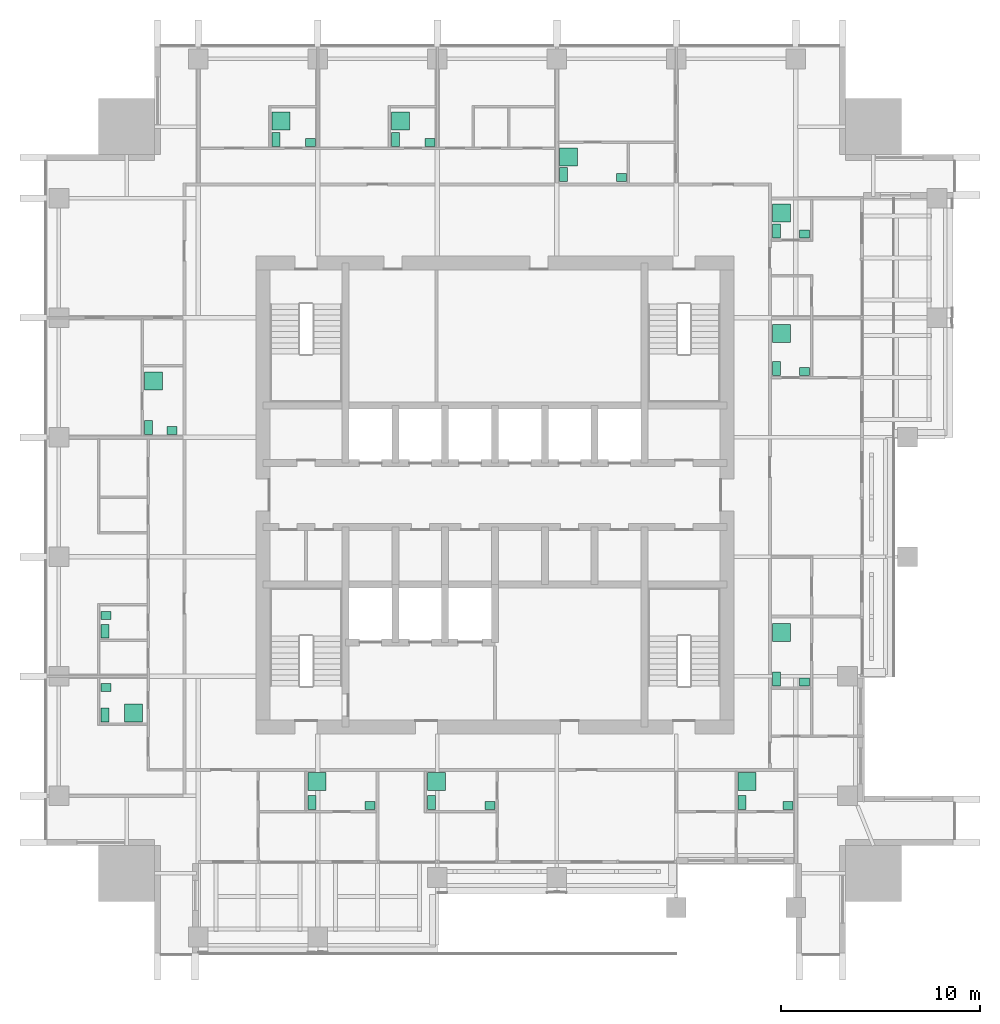
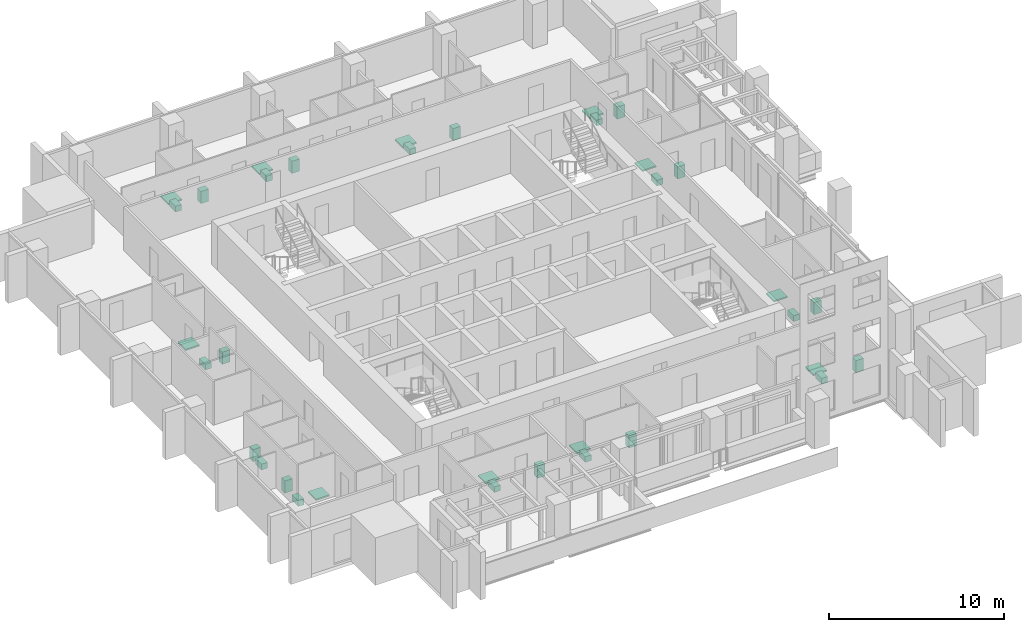
# One storey, part 16 of 16: 35 sanitary terminals.
"""IFC4 building model written with IfcOpenShell, lengths in metres."""

from ifc_helpers import new_model, si_unit, direction, frame, origin, origin_2d, place, context, subcontext, project, spatial, rectangle, extrude, element, save


model = new_model("IFC4")

# Units and contexts
model_context = context("Model", 3, precision=1e-05, world=origin(), true_north=direction((0.0, 1.0)))
body_context = subcontext(model_context, "Body", "Model", "MODEL_VIEW")
ifc_project = project(units=[si_unit("LENGTHUNIT", "METRE"), si_unit("AREAUNIT", "SQUARE_METRE"), si_unit("VOLUMEUNIT", "CUBIC_METRE"), si_unit("PLANEANGLEUNIT", "RADIAN"), si_unit("MASSUNIT", "GRAM", prefix="KILO")], contexts=[model_context])

# Site, building, storey
site_placement = place(None, origin())
site = spatial("IfcSite", under=ifc_project, at=site_placement, CompositionType="ELEMENT")
building_placement = place(site_placement, origin())
building = spatial("IfcBuilding", under=site, at=building_placement, Name="Amberfall Residences", CompositionType="ELEMENT")
storey_placement = place(building_placement, frame((0.0, 0.0, 164.800048828125)))
storey = spatial("IfcBuildingStorey", under=building, at=storey_placement, Name="L44", CompositionType="ELEMENT", Elevation=164.800048828125)

# Sanitary terminals
sanitary_terminal_1_placement = place(storey_placement, frame((65.31005859375, 30.06005859375, 0.0), z_axis=(0.0, 0.0, 1.0), x_axis=(1.0, 0.0, 0.0)))
element("IfcSanitaryTerminal", 1, at=sanitary_terminal_1_placement, inside=storey, Name="Water closet 4401", PredefinedType="TOILETPAN", context=body_context, shape_type="SweptSolid", body=[
    extrude(rectangle(XDim=0.39990234375, YDim=0.699951171875, at=origin_2d()), origin(), (0.0, 0.0, 1.0), 0.39990234375),
])
sanitary_terminal_2_placement = place(storey_placement, frame((68.215087890625, 29.909912109375, 0.0), z_axis=(0.0, 0.0, 1.0), x_axis=(1.0, 0.0, 0.0)))
element("IfcSanitaryTerminal", 2, at=sanitary_terminal_2_placement, inside=storey, Name="Basin 4401", PredefinedType="WASHHANDBASIN", context=body_context, shape_type="SweptSolid", body=[
    extrude(rectangle(XDim=0.5, YDim=0.39990234375, at=origin_2d()), origin(), (0.0, 0.0, 1.0), 0.85009765625),
])
sanitary_terminal_3_placement = place(storey_placement, frame((65.56005859375, 31.114990234375, 0.0), z_axis=(0.0, 0.0, 1.0), x_axis=(1.0, 0.0, 0.0)))
element("IfcSanitaryTerminal", 3, at=sanitary_terminal_3_placement, inside=storey, Name="Shower tray 4401", PredefinedType="SHOWER", context=body_context, shape_type="SweptSolid", body=[
    extrude(rectangle(XDim=0.89990234375, YDim=0.89990234375, at=origin_2d()), origin(), (0.0, 0.0, 1.0), 0.10009765625),
])
sanitary_terminal_4_placement = place(storey_placement, frame((71.31005859375, 30.06005859375, 0.0), z_axis=(0.0, 0.0, 1.0), x_axis=(1.0, 0.0, 0.0)))
element("IfcSanitaryTerminal", 4, at=sanitary_terminal_4_placement, inside=storey, Name="Water closet 4402", PredefinedType="TOILETPAN", context=body_context, shape_type="SweptSolid", body=[
    extrude(rectangle(XDim=0.39990234375, YDim=0.699951171875, at=origin_2d()), origin(), (0.0, 0.0, 1.0), 0.39990234375),
])
sanitary_terminal_5_placement = place(storey_placement, frame((74.239990234375, 29.909912109375, 0.0), z_axis=(0.0, 0.0, 1.0), x_axis=(1.0, 0.0, 0.0)))
element("IfcSanitaryTerminal", 5, at=sanitary_terminal_5_placement, inside=storey, Name="Basin 4402", PredefinedType="WASHHANDBASIN", context=body_context, shape_type="SweptSolid", body=[
    extrude(rectangle(XDim=0.5, YDim=0.39990234375, at=origin_2d()), origin(), (0.0, 0.0, 1.0), 0.85009765625),
])
sanitary_terminal_6_placement = place(storey_placement, frame((71.56005859375, 31.114990234375, 0.0), z_axis=(0.0, 0.0, 1.0), x_axis=(1.0, 0.0, 0.0)))
element("IfcSanitaryTerminal", 6, at=sanitary_terminal_6_placement, inside=storey, Name="Shower tray 4402", PredefinedType="SHOWER", context=body_context, shape_type="SweptSolid", body=[
    extrude(rectangle(XDim=0.89990234375, YDim=0.89990234375, at=origin_2d()), origin(), (0.0, 0.0, 1.0), 0.10009765625),
])
sanitary_terminal_7_placement = place(storey_placement, frame((86.909912109375, 30.06005859375, 0.0), z_axis=(0.0, 0.0, 1.0), x_axis=(1.0, 0.0, 0.0)))
element("IfcSanitaryTerminal", 7, at=sanitary_terminal_7_placement, inside=storey, Name="Water closet 4402", PredefinedType="TOILETPAN", context=body_context, shape_type="SweptSolid", body=[
    extrude(rectangle(XDim=0.39990234375, YDim=0.699951171875, at=origin_2d()), origin(), (0.0, 0.0, 1.0), 0.39990234375),
])
sanitary_terminal_8_placement = place(storey_placement, frame((89.215087890625, 29.909912109375, 0.0), z_axis=(0.0, 0.0, 1.0), x_axis=(1.0, 0.0, 0.0)))
element("IfcSanitaryTerminal", 8, at=sanitary_terminal_8_placement, inside=storey, Name="Basin 4402", PredefinedType="WASHHANDBASIN", context=body_context, shape_type="SweptSolid", body=[
    extrude(rectangle(XDim=0.5, YDim=0.39990234375, at=origin_2d()), origin(), (0.0, 0.0, 1.0), 0.85009765625),
])
sanitary_terminal_9_placement = place(storey_placement, frame((87.159912109375, 31.114990234375, 0.0), z_axis=(0.0, 0.0, 1.0), x_axis=(1.0, 0.0, 0.0)))
element("IfcSanitaryTerminal", 9, at=sanitary_terminal_9_placement, inside=storey, Name="Shower tray 4402", PredefinedType="SHOWER", context=body_context, shape_type="SweptSolid", body=[
    extrude(rectangle(XDim=0.89990234375, YDim=0.89990234375, at=origin_2d()), origin(), (0.0, 0.0, 1.0), 0.10009765625),
])
sanitary_terminal_10_placement = place(storey_placement, frame((88.635009765625, 36.260009765625, 0.0), z_axis=(0.0, 0.0, 1.0), x_axis=(1.0, 0.0, 0.0)))
element("IfcSanitaryTerminal", 10, at=sanitary_terminal_10_placement, inside=storey, Name="Water closet 4403", PredefinedType="TOILETPAN", context=body_context, shape_type="SweptSolid", body=[
    extrude(rectangle(XDim=0.39990234375, YDim=0.699951171875, at=origin_2d()), origin(), (0.0, 0.0, 1.0), 0.39990234375),
])
sanitary_terminal_11_placement = place(storey_placement, frame((90.0400390625, 36.110107421875, 0.0), z_axis=(0.0, 0.0, 1.0), x_axis=(1.0, 0.0, 0.0)))
element("IfcSanitaryTerminal", 11, at=sanitary_terminal_11_placement, inside=storey, Name="Basin 4403", PredefinedType="WASHHANDBASIN", context=body_context, shape_type="SweptSolid", body=[
    extrude(rectangle(XDim=0.5, YDim=0.39990234375, at=origin_2d()), origin(), (0.0, 0.0, 1.0), 0.85009765625),
])
sanitary_terminal_12_placement = place(storey_placement, frame((88.885009765625, 38.591796875, 0.0), z_axis=(0.0, 0.0, 1.0), x_axis=(1.0, 0.0, 0.0)))
element("IfcSanitaryTerminal", 12, at=sanitary_terminal_12_placement, inside=storey, Name="Shower tray 4403", PredefinedType="SHOWER", context=body_context, shape_type="SweptSolid", body=[
    extrude(rectangle(XDim=0.89990234375, YDim=0.89990234375, at=origin_2d()), origin(), (0.0, 0.0, 1.0), 0.10009765625),
])
sanitary_terminal_13_placement = place(storey_placement, frame((88.635009765625, 51.860107421875, 0.0), z_axis=(0.0, 0.0, 1.0), x_axis=(1.0, 0.0, 0.0)))
element("IfcSanitaryTerminal", 13, at=sanitary_terminal_13_placement, inside=storey, Name="Water closet 4404", PredefinedType="TOILETPAN", context=body_context, shape_type="SweptSolid", body=[
    extrude(rectangle(XDim=0.39990234375, YDim=0.699951171875, at=origin_2d()), origin(), (0.0, 0.0, 1.0), 0.39990234375),
])
sanitary_terminal_14_placement = place(storey_placement, frame((90.0400390625, 51.7099609375, 0.0), z_axis=(0.0, 0.0, 1.0), x_axis=(1.0, 0.0, 0.0)))
element("IfcSanitaryTerminal", 14, at=sanitary_terminal_14_placement, inside=storey, Name="Basin 4404", PredefinedType="WASHHANDBASIN", context=body_context, shape_type="SweptSolid", body=[
    extrude(rectangle(XDim=0.5, YDim=0.39990234375, at=origin_2d()), origin(), (0.0, 0.0, 1.0), 0.85009765625),
])
sanitary_terminal_15_placement = place(storey_placement, frame((88.885009765625, 53.60888671875, 0.0), z_axis=(0.0, 0.0, 1.0), x_axis=(1.0, 0.0, 0.0)))
element("IfcSanitaryTerminal", 15, at=sanitary_terminal_15_placement, inside=storey, Name="Shower tray 4404", PredefinedType="SHOWER", context=body_context, shape_type="SweptSolid", body=[
    extrude(rectangle(XDim=0.89990234375, YDim=0.89990234375, at=origin_2d()), origin(), (0.0, 0.0, 1.0), 0.10009765625),
])
sanitary_terminal_16_placement = place(storey_placement, frame((88.635009765625, 58.760009765625, 0.0), z_axis=(0.0, 0.0, 1.0), x_axis=(1.0, 0.0, 0.0)))
element("IfcSanitaryTerminal", 16, at=sanitary_terminal_16_placement, inside=storey, Name="Water closet 4405", PredefinedType="TOILETPAN", context=body_context, shape_type="SweptSolid", body=[
    extrude(rectangle(XDim=0.39990234375, YDim=0.699951171875, at=origin_2d()), origin(), (0.0, 0.0, 1.0), 0.39990234375),
])
sanitary_terminal_17_placement = place(storey_placement, frame((90.0400390625, 58.610107421875, 0.0), z_axis=(0.0, 0.0, 1.0), x_axis=(1.0, 0.0, 0.0)))
element("IfcSanitaryTerminal", 17, at=sanitary_terminal_17_placement, inside=storey, Name="Basin 4405", PredefinedType="WASHHANDBASIN", context=body_context, shape_type="SweptSolid", body=[
    extrude(rectangle(XDim=0.5, YDim=0.39990234375, at=origin_2d()), origin(), (0.0, 0.0, 1.0), 0.85009765625),
])
sanitary_terminal_18_placement = place(storey_placement, frame((88.885009765625, 59.65576171875, 0.0), z_axis=(0.0, 0.0, 1.0), x_axis=(1.0, 0.0, 0.0)))
element("IfcSanitaryTerminal", 18, at=sanitary_terminal_18_placement, inside=storey, Name="Shower tray 4405", PredefinedType="SHOWER", context=body_context, shape_type="SweptSolid", body=[
    extrude(rectangle(XDim=0.89990234375, YDim=0.89990234375, at=origin_2d()), origin(), (0.0, 0.0, 1.0), 0.10009765625),
])
sanitary_terminal_19_placement = place(storey_placement, frame((63.510009765625, 63.360107421875, 0.0), z_axis=(0.0, 0.0, 1.0), x_axis=(1.0, 0.0, 0.0)))
element("IfcSanitaryTerminal", 19, at=sanitary_terminal_19_placement, inside=storey, Name="Water closet 4406", PredefinedType="TOILETPAN", context=body_context, shape_type="SweptSolid", body=[
    extrude(rectangle(XDim=0.39990234375, YDim=0.699951171875, at=origin_2d()), origin(), (0.0, 0.0, 1.0), 0.39990234375),
])
sanitary_terminal_20_placement = place(storey_placement, frame((65.239990234375, 63.2099609375, 0.0), z_axis=(0.0, 0.0, 1.0), x_axis=(1.0, 0.0, 0.0)))
element("IfcSanitaryTerminal", 20, at=sanitary_terminal_20_placement, inside=storey, Name="Basin 4406", PredefinedType="WASHHANDBASIN", context=body_context, shape_type="SweptSolid", body=[
    extrude(rectangle(XDim=0.5, YDim=0.39990234375, at=origin_2d()), origin(), (0.0, 0.0, 1.0), 0.85009765625),
])
sanitary_terminal_21_placement = place(storey_placement, frame((63.760009765625, 64.276611328125, 0.0), z_axis=(0.0, 0.0, 1.0), x_axis=(1.0, 0.0, 0.0)))
element("IfcSanitaryTerminal", 21, at=sanitary_terminal_21_placement, inside=storey, Name="Shower tray 4406", PredefinedType="SHOWER", context=body_context, shape_type="SweptSolid", body=[
    extrude(rectangle(XDim=0.89990234375, YDim=0.89990234375, at=origin_2d()), origin(), (0.0, 0.0, 1.0), 0.10009765625),
])
sanitary_terminal_22_placement = place(storey_placement, frame((69.510009765625, 63.360107421875, 0.0), z_axis=(0.0, 0.0, 1.0), x_axis=(1.0, 0.0, 0.0)))
element("IfcSanitaryTerminal", 22, at=sanitary_terminal_22_placement, inside=storey, Name="Water closet 4406", PredefinedType="TOILETPAN", context=body_context, shape_type="SweptSolid", body=[
    extrude(rectangle(XDim=0.39990234375, YDim=0.699951171875, at=origin_2d()), origin(), (0.0, 0.0, 1.0), 0.39990234375),
])
sanitary_terminal_23_placement = place(storey_placement, frame((71.239990234375, 63.2099609375, 0.0), z_axis=(0.0, 0.0, 1.0), x_axis=(1.0, 0.0, 0.0)))
element("IfcSanitaryTerminal", 23, at=sanitary_terminal_23_placement, inside=storey, Name="Basin 4406", PredefinedType="WASHHANDBASIN", context=body_context, shape_type="SweptSolid", body=[
    extrude(rectangle(XDim=0.5, YDim=0.39990234375, at=origin_2d()), origin(), (0.0, 0.0, 1.0), 0.85009765625),
])
sanitary_terminal_24_placement = place(storey_placement, frame((69.760009765625, 64.276611328125, 0.0), z_axis=(0.0, 0.0, 1.0), x_axis=(1.0, 0.0, 0.0)))
element("IfcSanitaryTerminal", 24, at=sanitary_terminal_24_placement, inside=storey, Name="Shower tray 4406", PredefinedType="SHOWER", context=body_context, shape_type="SweptSolid", body=[
    extrude(rectangle(XDim=0.89990234375, YDim=0.89990234375, at=origin_2d()), origin(), (0.0, 0.0, 1.0), 0.10009765625),
])
sanitary_terminal_25_placement = place(storey_placement, frame((77.93505859375, 61.5849609375, 0.0), z_axis=(0.0, 0.0, 1.0), x_axis=(1.0, 0.0, 0.0)))
element("IfcSanitaryTerminal", 25, at=sanitary_terminal_25_placement, inside=storey, Name="Water closet 4407", PredefinedType="TOILETPAN", context=body_context, shape_type="SweptSolid", body=[
    extrude(rectangle(XDim=0.39990234375, YDim=0.699951171875, at=origin_2d()), origin(), (0.0, 0.0, 1.0), 0.39990234375),
])
sanitary_terminal_26_placement = place(storey_placement, frame((80.840087890625, 61.43505859375, 0.0), z_axis=(0.0, 0.0, 1.0), x_axis=(1.0, 0.0, 0.0)))
element("IfcSanitaryTerminal", 26, at=sanitary_terminal_26_placement, inside=storey, Name="Basin 4407", PredefinedType="WASHHANDBASIN", context=body_context, shape_type="SweptSolid", body=[
    extrude(rectangle(XDim=0.5, YDim=0.39990234375, at=origin_2d()), origin(), (0.0, 0.0, 1.0), 0.85009765625),
])
sanitary_terminal_27_placement = place(storey_placement, frame((78.18505859375, 62.480712890625, 0.0), z_axis=(0.0, 0.0, 1.0), x_axis=(1.0, 0.0, 0.0)))
element("IfcSanitaryTerminal", 27, at=sanitary_terminal_27_placement, inside=storey, Name="Shower tray 4407", PredefinedType="SHOWER", context=body_context, shape_type="SweptSolid", body=[
    extrude(rectangle(XDim=0.89990234375, YDim=0.89990234375, at=origin_2d()), origin(), (0.0, 0.0, 1.0), 0.10009765625),
])
sanitary_terminal_28_placement = place(storey_placement, frame((54.909912109375, 38.659912109375, 0.0), z_axis=(0.0, 0.0, 1.0), x_axis=(1.0, 0.0, 0.0)))
element("IfcSanitaryTerminal", 28, at=sanitary_terminal_28_placement, inside=storey, Name="Water closet 4408 1", PredefinedType="TOILETPAN", context=body_context, shape_type="SweptSolid", body=[
    extrude(rectangle(XDim=0.39990234375, YDim=0.699951171875, at=origin_2d()), origin(), (0.0, 0.0, 1.0), 0.39990234375),
])
sanitary_terminal_29_placement = place(storey_placement, frame((54.9599609375, 39.4541015625, 0.0), z_axis=(0.0, 0.0, 1.0), x_axis=(1.0, 0.0, 0.0)))
element("IfcSanitaryTerminal", 29, at=sanitary_terminal_29_placement, inside=storey, Name="Basin 4408 1", PredefinedType="WASHHANDBASIN", context=body_context, shape_type="SweptSolid", body=[
    extrude(rectangle(XDim=0.5, YDim=0.39990234375, at=origin_2d()), origin(), (0.0, 0.0, 1.0), 0.85009765625),
])
sanitary_terminal_30_placement = place(storey_placement, frame((54.909912109375, 34.4599609375, 0.0), z_axis=(0.0, 0.0, 1.0), x_axis=(1.0, 0.0, 0.0)))
element("IfcSanitaryTerminal", 30, at=sanitary_terminal_30_placement, inside=storey, Name="Water closet 4408", PredefinedType="TOILETPAN", context=body_context, shape_type="SweptSolid", body=[
    extrude(rectangle(XDim=0.39990234375, YDim=0.699951171875, at=origin_2d()), origin(), (0.0, 0.0, 1.0), 0.39990234375),
])
sanitary_terminal_31_placement = place(storey_placement, frame((54.9599609375, 35.835693359375, 0.0), z_axis=(0.0, 0.0, 1.0), x_axis=(1.0, 0.0, 0.0)))
element("IfcSanitaryTerminal", 31, at=sanitary_terminal_31_placement, inside=storey, Name="Basin 4408", PredefinedType="WASHHANDBASIN", context=body_context, shape_type="SweptSolid", body=[
    extrude(rectangle(XDim=0.5, YDim=0.39990234375, at=origin_2d()), origin(), (0.0, 0.0, 1.0), 0.85009765625),
])
sanitary_terminal_32_placement = place(storey_placement, frame((56.3427734375, 34.56005859375, 0.0), z_axis=(0.0, 0.0, 1.0), x_axis=(1.0, 0.0, 0.0)))
element("IfcSanitaryTerminal", 32, at=sanitary_terminal_32_placement, inside=storey, Name="Shower tray 4408", PredefinedType="SHOWER", context=body_context, shape_type="SweptSolid", body=[
    extrude(rectangle(XDim=0.89990234375, YDim=0.89990234375, at=origin_2d()), origin(), (0.0, 0.0, 1.0), 0.10009765625),
])
sanitary_terminal_33_placement = place(storey_placement, frame((57.110107421875, 48.885009765625, 0.0), z_axis=(0.0, 0.0, 1.0), x_axis=(1.0, 0.0, 0.0)))
element("IfcSanitaryTerminal", 33, at=sanitary_terminal_33_placement, inside=storey, Name="Water closet 4409", PredefinedType="TOILETPAN", context=body_context, shape_type="SweptSolid", body=[
    extrude(rectangle(XDim=0.39990234375, YDim=0.699951171875, at=origin_2d()), origin(), (0.0, 0.0, 1.0), 0.39990234375),
])
sanitary_terminal_34_placement = place(storey_placement, frame((58.2890625, 48.735107421875, 0.0), z_axis=(0.0, 0.0, 1.0), x_axis=(1.0, 0.0, 0.0)))
element("IfcSanitaryTerminal", 34, at=sanitary_terminal_34_placement, inside=storey, Name="Basin 4409", PredefinedType="WASHHANDBASIN", context=body_context, shape_type="SweptSolid", body=[
    extrude(rectangle(XDim=0.5, YDim=0.39990234375, at=origin_2d()), origin(), (0.0, 0.0, 1.0), 0.85009765625),
])
sanitary_terminal_35_placement = place(storey_placement, frame((57.360107421875, 51.216796875, 0.0), z_axis=(0.0, 0.0, 1.0), x_axis=(1.0, 0.0, 0.0)))
element("IfcSanitaryTerminal", 35, at=sanitary_terminal_35_placement, inside=storey, Name="Shower tray 4409", PredefinedType="SHOWER", context=body_context, shape_type="SweptSolid", body=[
    extrude(rectangle(XDim=0.89990234375, YDim=0.89990234375, at=origin_2d()), origin(), (0.0, 0.0, 1.0), 0.10009765625),
])

save(model, "model.ifc")
